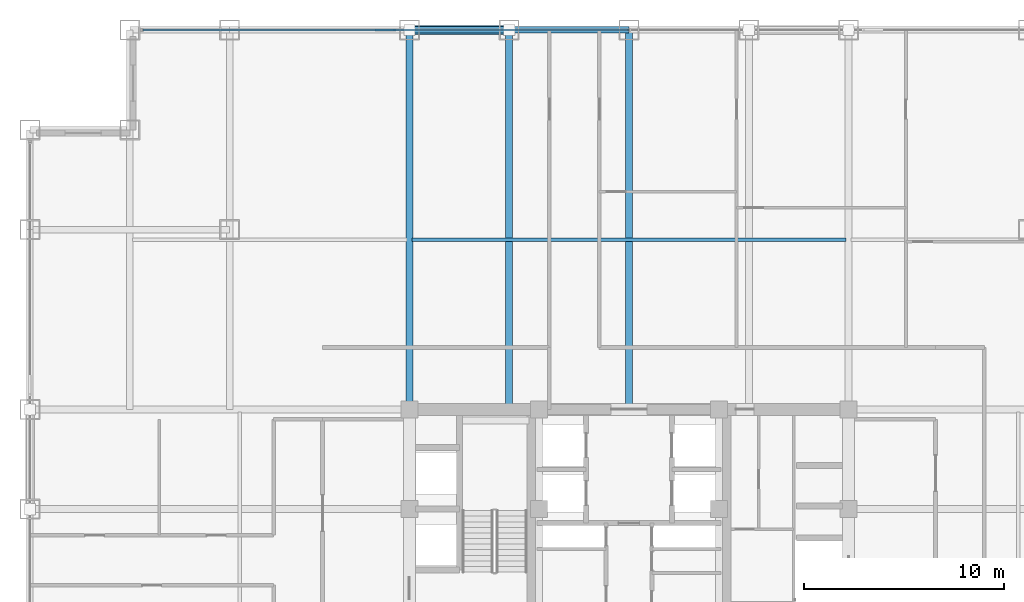
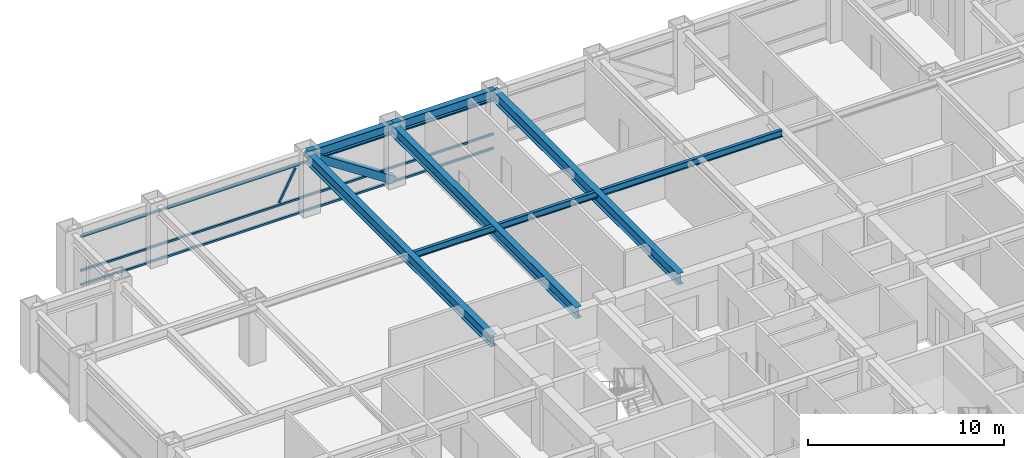
# One storey, part 15 of 25: 6 beams, 5 members, 1 element without a shape of its own.
"""IFC4 building model written with IfcOpenShell, lengths in metres."""

from ifc_helpers import new_model, si_unit, direction, frame, origin, origin_2d, place, context, subcontext, project, spatial, hollow_rectangle, i_section, extrude, source, transform, mapped, material, material_profile, profile_set, type_object, element, aggregate, save


model = new_model("IFC4")

# Units and contexts
model_context = context("Model", 3, precision=1e-05, world=origin(), true_north=direction((0.0, 1.0)))
body_context = subcontext(model_context, "Body", "Model", "MODEL_VIEW")
ifc_project = project(units=[si_unit("LENGTHUNIT", "METRE"), si_unit("AREAUNIT", "SQUARE_METRE"), si_unit("VOLUMEUNIT", "CUBIC_METRE"), si_unit("PLANEANGLEUNIT", "RADIAN"), si_unit("MASSUNIT", "GRAM", prefix="KILO")], contexts=[model_context])

# Site, building, storey
site_placement = place(None, origin())
site = spatial("IfcSite", under=ifc_project, at=site_placement, CompositionType="ELEMENT")
building_placement = place(site_placement, origin())
building = spatial("IfcBuilding", under=site, at=building_placement, Name="Khorayat Bourse Tower", CompositionType="ELEMENT")
storey_placement = place(building_placement, frame((0.0, 0.0, 251.10009765625)))
storey = spatial("IfcBuildingStorey", under=building, at=storey_placement, Name="L59", CompositionType="ELEMENT", Elevation=251.10009765625)

# Beams
ifc_material_1 = material(Name="Steel ASTM A992 Grade 50", Category="steel")
ifc_material_profile_1 = material_profile(ifc_material_1, i_section(OverallWidth=0.180908203125, OverallDepth=0.4169921875, WebThickness=0.010986328125, FlangeThickness=0.018310546875, FilletRadius=0.011962890625, at=origin_2d()), Name="W410X85")
ifc_profile_set_1 = profile_set([ifc_material_profile_1], Name="Steel ASTM A992 Grade 50")
beam_type_1 = type_object("IfcBeamType", Name="BM-JOIST-410", PredefinedType="JOIST", material=ifc_profile_set_1)
shared_shape_1 = source(origin(), body_context, "Body", "SweptSolid", [
    extrude(i_section(OverallWidth=0.180908203125, OverallDepth=0.4169921875, WebThickness=0.010986328125, FlangeThickness=0.018310546875, FilletRadius=0.011962890625, at=origin_2d()), origin(), (0.0, 0.0, 1.0), 21.740234375),
])
beam_1_placement = place(storey_placement, frame((-10.8701171875, 19.5, 3.5712890625), z_axis=(1.0, 0.0, 0.0), x_axis=(0.0, 1.0, 0.0)))
element("IfcBeam", 1, at=beam_1_placement, inside=storey, type_object=beam_type_1, Name="L59 BM-JOIST-410 BM-L59-JSTX-100", PredefinedType="JOIST", context=body_context, shape_type="MappedRepresentation", body=[
    mapped(shared_shape_1, transform((0.0, 0.0, 0.0), scale=1.0)),
])
ifc_material_profile_2 = material_profile(ifc_material_1, i_section(OverallWidth=0.324951171875, OverallDepth=0.615966796875, WebThickness=0.013916015625, FlangeThickness=0.021484375, FilletRadius=0.01611328125, at=origin_2d()), Name="W610X174")
ifc_profile_set_2 = profile_set([ifc_material_profile_2], Name="Steel ASTM A992 Grade 50")
beam_type_2 = type_object("IfcBeamType", Name="BM-SPAN-610", PredefinedType="SPANDREL", material=ifc_profile_set_2)
shared_shape_2 = source(origin(), body_context, "Body", "SweptSolid", [
    extrude(i_section(OverallWidth=0.324951171875, OverallDepth=0.615966796875, WebThickness=0.013916015625, FlangeThickness=0.021484375, FilletRadius=0.01611328125, at=origin_2d()), origin(), (0.0, 0.0, 1.0), 5.0),
])
beam_2_placement = place(storey_placement, frame((-11.0, 30.0, 3.471923828125), z_axis=(1.0, 0.0, 0.0), x_axis=(0.0, 1.0, 0.0)))
element("IfcBeam", 2, at=beam_2_placement, inside=storey, type_object=beam_type_2, Name="L59 BM-SPAN-610 BM-L59-SPN-049", PredefinedType="SPANDREL", context=body_context, shape_type="MappedRepresentation", body=[
    mapped(shared_shape_2, transform((0.0, 0.0, 0.0), scale=1.0)),
])
shared_shape_3 = source(origin(), body_context, "Body", "SweptSolid", [
    extrude(i_section(OverallWidth=0.324951171875, OverallDepth=0.615966796875, WebThickness=0.013916015625, FlangeThickness=0.021484375, FilletRadius=0.01611328125, at=origin_2d()), origin(), (0.0, 0.0, 1.0), 6.0),
])
beam_3_placement = place(storey_placement, frame((-6.0, 30.0, 3.471923828125), z_axis=(1.0, 0.0, 0.0), x_axis=(0.0, 1.0, 0.0)))
element("IfcBeam", 3, at=beam_3_placement, inside=storey, type_object=beam_type_2, Name="L59 BM-SPAN-610 BM-L59-SPN-048", PredefinedType="SPANDREL", context=body_context, shape_type="MappedRepresentation", body=[
    mapped(shared_shape_3, transform((0.0, 0.0, 0.0), scale=1.0)),
])
ifc_material_profile_3 = material_profile(ifc_material_1, i_section(OverallWidth=0.35498046875, OverallDepth=0.695068359375, WebThickness=0.015380859375, FlangeThickness=0.02490234375, FilletRadius=0.01806640625, at=origin_2d()), Name="W690X217")
ifc_profile_set_3 = profile_set([ifc_material_profile_3], Name="Steel ASTM A992 Grade 50")
beam_type_3 = type_object("IfcBeamType", Name="BM-GIRD-690", PredefinedType="BEAM", material=ifc_profile_set_3)
shared_shape_4 = source(origin(), body_context, "Body", "SweptSolid", [
    extrude(i_section(OverallWidth=0.35498046875, OverallDepth=0.695068359375, WebThickness=0.015380859375, FlangeThickness=0.02490234375, FilletRadius=0.01806640625, at=origin_2d()), origin(), (0.0, 0.0, 1.0), 19.0),
])
for number, where, z_axis, x_axis, name in (
    (4, (-11.0, 11.0, 3.432373046875), (0.0, 1.0, 0.0), (-1.0, 0.0, 0.0), "L59 BM-GIRD-690 BM-L59-RADY-064"),
    (5, (-6.0, 11.0, 3.432373046875), (0.0, 1.0, 0.0), (-1.0, 0.0, 0.0), "L59 BM-GIRD-690 BM-L59-RADY-066"),
    (6, (0.0, 11.0, 3.432373046875), (0.0, 1.0, 0.0), (-1.0, 0.0, 0.0), "L59 BM-GIRD-690 BM-L59-RADY-068"),
):
    element("IfcBeam", number, at=place(storey_placement, frame(where, z_axis=z_axis, x_axis=x_axis)), inside=storey, type_object=beam_type_3, Name=name, PredefinedType="BEAM", context=body_context, shape_type="MappedRepresentation", body=[
        mapped(shared_shape_4, transform((0.0, 0.0, 0.0), scale=1.0)),
    ])

# Member
ifc_material_2 = material(Name="Steel EN 10025-4 S460M", Category="steel")
ifc_material_profile_4 = material_profile(ifc_material_2, hollow_rectangle(XDim=0.449951171875, YDim=0.449951171875, WallThickness=0.02490234375, at=origin_2d()), Name="HSS 450x450x25")
ifc_profile_set_4 = profile_set([ifc_material_profile_4], Name="Steel EN 10025-4 S460M")
member_type_1 = type_object("IfcMemberType", Name="MBR-TUBE-450", PredefinedType="BRACE", material=ifc_profile_set_4)
shared_shape_5 = source(origin(), body_context, "Body", "SweptSolid", [
    extrude(hollow_rectangle(XDim=0.449951171875, YDim=0.449951171875, WallThickness=0.02490234375, at=origin_2d()), origin(), (0.0, 0.0, 1.0), 5.979736328125),
])
member_1_placement = place(storey_placement, frame((-11.0, 30.0, 3.52978515625), z_axis=(0.836160261256, 0.0, -0.548485202623), x_axis=(0.0, 1.0, 0.0)))
element("IfcMember", 7, at=member_1_placement, inside=storey, type_object=member_type_1, Name="L59 Perimeter Tube Brace 03", PredefinedType="BRACE", context=body_context, shape_type="MappedRepresentation", body=[
    mapped(shared_shape_5, transform((0.0, 0.0, 0.0), scale=1.0)),
])

# Curtain wall, members
ifc_material_3 = material(Name="Aluminium EN AW-6063 T6", Category="aluminium")
curtain_wall_type = type_object("IfcCurtainWallType", Name="CW-SYS-03", PredefinedType="NOTDEFINED", material=ifc_material_3)
curtain_wall_placement = place(storey_placement, origin())
curtain_wall = element("IfcCurtainWall", 8, at=curtain_wall_placement, inside=storey, type_object=curtain_wall_type, Name="L59 Curtain Wall CW-L59-N1", PredefinedType="NOTDEFINED")
ifc_material_profile_5 = material_profile(ifc_material_3, hollow_rectangle(XDim=0.1201171875, YDim=0.1201171875, WallThickness=0.0048828125, at=origin_2d()), Name="ALU 120x120x5")
ifc_profile_set_5 = profile_set([ifc_material_profile_5], Name="Aluminium EN AW-6063 T6")
member_type_2 = type_object("IfcMemberType", Name="CWM-DIAG-120", PredefinedType="MULLION", material=ifc_profile_set_5)
shared_shape_6 = source(origin(), body_context, "Body", "SweptSolid", [
    extrude(hollow_rectangle(XDim=0.1201171875, YDim=0.1201171875, WallThickness=0.0048828125, at=origin_2d()), origin(), (0.0, 0.0, 1.0), 2.079345703125),
])
member_2_placement = place(storey_placement, frame((-12.67919921875, 30.0, 1.08984375), z_axis=(0.465760949701, 0.0, 0.884910581773), x_axis=(0.0, 1.0, 0.0)))
member_2 = element("IfcMember", 9, at=member_2_placement, type_object=member_type_2, Name="CW-L59-N1 Faceted Diagonal Mullion 1", PredefinedType="MULLION", context=body_context, shape_type="MappedRepresentation", body=[
    mapped(shared_shape_6, transform((0.0, 0.0, 0.0), scale=1.0)),
])
ifc_material_profile_6 = material_profile(ifc_material_3, hollow_rectangle(XDim=0.1201171875, YDim=0.1201171875, WallThickness=0.0048828125, at=origin_2d()), Name="ALU 120x120x5")
ifc_profile_set_6 = profile_set([ifc_material_profile_6], Name="Aluminium EN AW-6063 T6")
member_type_3 = type_object("IfcMemberType", Name="CWT-HORZ-120", PredefinedType="USERDEFINED", material=ifc_profile_set_6)
shared_shape_7 = source(origin(), body_context, "Body", "SweptSolid", [
    extrude(hollow_rectangle(XDim=0.1201171875, YDim=0.1201171875, WallThickness=0.0048828125, at=origin_2d()), origin(), (0.0, 0.0, 1.0), 24.27001953125),
])
member_3_placement = place(storey_placement, frame((-24.330078125, 30.0, 0.059814453125), z_axis=(1.0, 0.0, 0.0), x_axis=(0.0, 1.0, 0.0)))
member_3 = element("IfcMember", 10, at=member_3_placement, type_object=member_type_3, Name="CW-L59-N1 Horizontal Transom 1-1", ObjectType="TRANSOM", PredefinedType="USERDEFINED", context=body_context, shape_type="MappedRepresentation", body=[
    mapped(shared_shape_7, transform((0.0, 0.0, 0.0), scale=1.0)),
])
member_4_placement = place(storey_placement, frame((-24.330078125, 30.0, 0.949951171875), z_axis=(1.0, 0.0, 0.0), x_axis=(0.0, 1.0, 0.0)))
member_4 = element("IfcMember", 11, at=member_4_placement, type_object=member_type_3, Name="CW-L59-N1 Horizontal Transom 1-2", ObjectType="TRANSOM", PredefinedType="USERDEFINED", context=body_context, shape_type="MappedRepresentation", body=[
    mapped(shared_shape_7, transform((0.0, 0.0, 0.0), scale=1.0)),
])
member_5_placement = place(storey_placement, frame((-24.330078125, 30.0, 3.06982421875), z_axis=(1.0, 0.0, 0.0), x_axis=(0.0, 1.0, 0.0)))
member_5 = element("IfcMember", 12, at=member_5_placement, type_object=member_type_3, Name="CW-L59-N1 Horizontal Transom 1-3", ObjectType="TRANSOM", PredefinedType="USERDEFINED", context=body_context, shape_type="MappedRepresentation", body=[
    mapped(shared_shape_7, transform((0.0, 0.0, 0.0), scale=1.0)),
])
aggregate(curtain_wall, [member_3, member_4, member_5, member_2])

save(model, "model.ifc")
